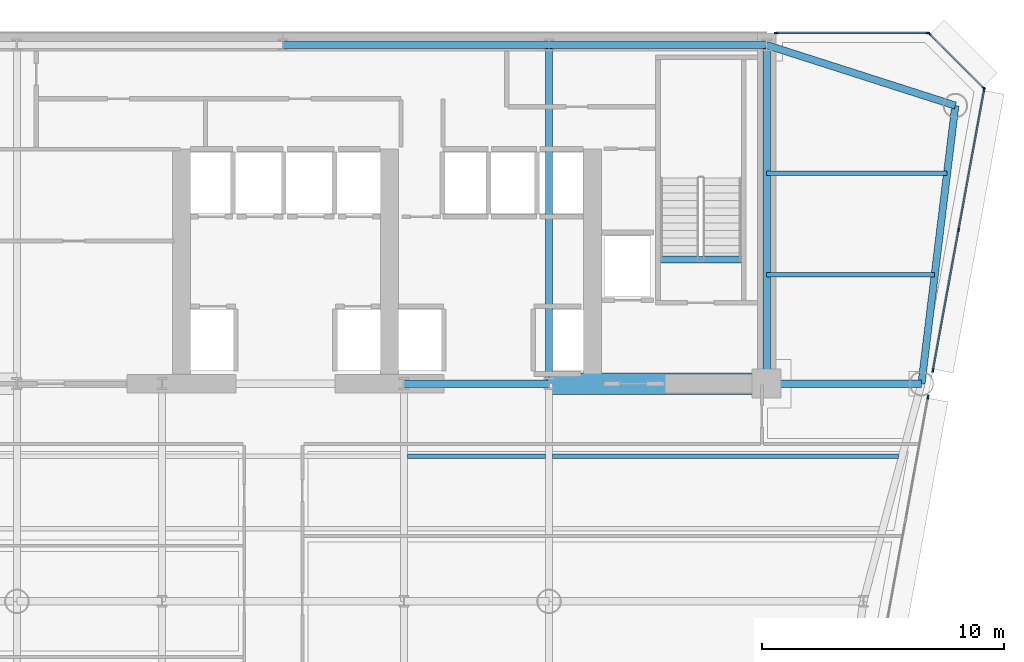
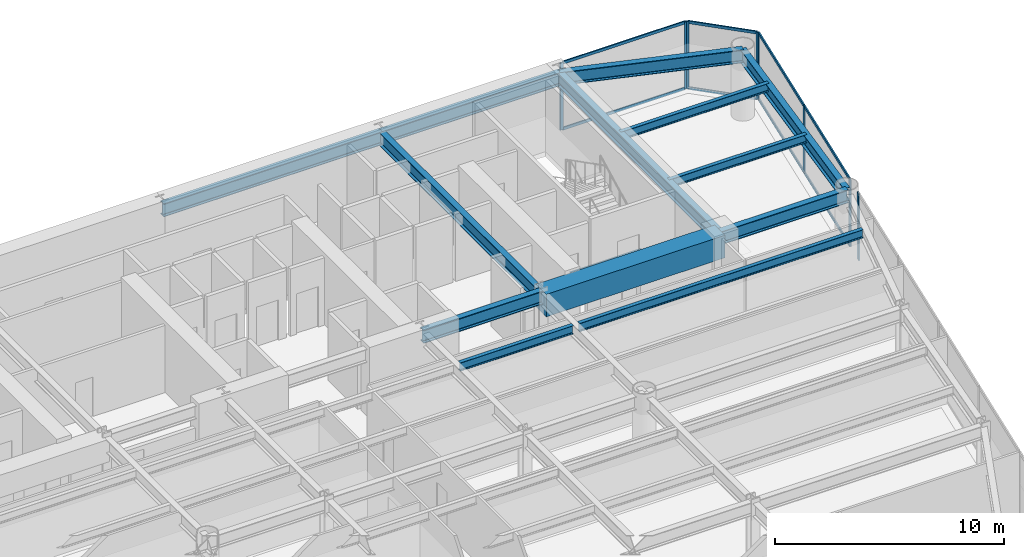
# One storey, part 9 of 17: 16 members, 14 beams, 4 elements without a shape of their own.
"""IFC4 building model written with IfcOpenShell, lengths in metres."""

from ifc_helpers import new_model, si_unit, direction, frame, origin, origin_2d, place, context, subcontext, project, spatial, rectangle, i_section, extrude, source, transform, mapped, material, layer, layer_set, material_profile, profile_set, type_object, element, aggregate, save


model = new_model("IFC4")

# Units and contexts
model_context = context("Model", 3, precision=1e-05, world=origin(), true_north=direction((0.0, 1.0)))
body_context = subcontext(model_context, "Body", "Model", "MODEL_VIEW")
ifc_project = project(units=[si_unit("LENGTHUNIT", "METRE"), si_unit("AREAUNIT", "SQUARE_METRE"), si_unit("VOLUMEUNIT", "CUBIC_METRE"), si_unit("PLANEANGLEUNIT", "RADIAN"), si_unit("MASSUNIT", "GRAM", prefix="KILO")], contexts=[model_context])

# Site, building, storey
site_placement = place(None, origin())
site = spatial("IfcSite", under=ifc_project, at=site_placement, CompositionType="ELEMENT")
building_placement = place(site_placement, origin())
building = spatial("IfcBuilding", under=site, at=building_placement, Name="Vaeldorn Concourse Tower", CompositionType="ELEMENT")
storey_placement = place(building_placement, frame((0.0, 0.0, 153.800048828125)))
storey = spatial("IfcBuildingStorey", under=building, at=storey_placement, Name="L39", CompositionType="ELEMENT", Elevation=153.800048828125)

# Beams
ifc_material_1 = material(Name="Concrete C60/75", Category="concrete")
ifc_material_profile_1 = material_profile(ifc_material_1, rectangle(XDim=0.89990234375, YDim=1.199951171875, at=origin_2d()), Name="RC 900x1200")
ifc_profile_set_1 = profile_set([ifc_material_profile_1], Name="Concrete C60/75")
beam_type_1 = type_object("IfcBeamType", Name="BM-CB-RC900", PredefinedType="BEAM", material=ifc_profile_set_1)
shared_shape_1 = source(origin(), body_context, "Body", "SweptSolid", [
    extrude(rectangle(XDim=0.89990234375, YDim=1.199951171875, at=origin_2d()), origin(), (0.0, 0.0, 1.0), 9.0),
])
beam_1_placement = place(storey_placement, frame((45.0, 36.5, 2.97998046875), z_axis=(1.0, 0.0, 0.0), x_axis=(0.0, 1.0, 0.0)))
element("IfcBeam", 1, at=beam_1_placement, inside=storey, type_object=beam_type_1, Name="Core Coupling Beam L39-2", PredefinedType="BEAM", context=body_context, shape_type="MappedRepresentation", body=[
    mapped(shared_shape_1, transform((0.0, 0.0, 0.0), scale=1.0)),
])
ifc_material_2 = material(Name="Steel S355", Category="steel")
ifc_material_profile_2 = material_profile(ifc_material_2, i_section(OverallWidth=0.300048828125, OverallDepth=0.340087890625, WebThickness=0.011962890625, FlangeThickness=0.021484375, FilletRadius=0.027099609375, at=origin_2d()), Name="HEB 340")
ifc_profile_set_2 = profile_set([ifc_material_profile_2], Name="Steel S355")
beam_type_2 = type_object("IfcBeamType", Name="BM-ST-TRIM", PredefinedType="BEAM", material=ifc_profile_set_2)
shared_shape_2 = source(origin(), body_context, "Body", "SweptSolid", [
    extrude(i_section(OverallWidth=0.300048828125, OverallDepth=0.340087890625, WebThickness=0.011962890625, FlangeThickness=0.021484375, FilletRadius=0.027099609375, at=origin_2d()), origin(), (0.0, 0.0, 1.0), 3.590087890625),
])
beam_2_placement = place(storey_placement, frame((49.47998046875, 41.639892578125, -0.429931640625), z_axis=(1.0, 0.0, 0.0), x_axis=(0.0, 1.0, 0.0)))
element("IfcBeam", 2, at=beam_2_placement, inside=storey, type_object=beam_type_2, Name="Stair Landing Trimmer Beam ST-2 L39", PredefinedType="BEAM", context=body_context, shape_type="MappedRepresentation", body=[
    mapped(shared_shape_2, transform((0.0, 0.0, 0.0), scale=1.0)),
])
ifc_material_profile_3 = material_profile(ifc_material_2, i_section(OverallWidth=0.300048828125, OverallDepth=0.699951171875, WebThickness=0.01708984375, FlangeThickness=0.031982421875, FilletRadius=0.027099609375, at=origin_2d()), Name="HEB 700")
ifc_profile_set_3 = profile_set([ifc_material_profile_3], Name="Steel S355")
beam_type_3 = type_object("IfcBeamType", Name="BM-PG-HEB700", PredefinedType="BEAM", material=ifc_profile_set_3)
shared_shape_3 = source(origin(), body_context, "Body", "SweptSolid", [
    extrude(i_section(OverallWidth=0.300048828125, OverallDepth=0.699951171875, WebThickness=0.01708984375, FlangeThickness=0.031982421875, FilletRadius=0.027099609375, at=origin_2d()), origin(), (0.0, 0.0, 1.0), 6.0),
])
beam_3_placement = place(storey_placement, frame((39.0, 36.5, 3.22998046875), z_axis=(1.0, 0.0, 0.0), x_axis=(0.0, 1.0, 0.0)))
element("IfcBeam", 3, at=beam_3_placement, inside=storey, type_object=beam_type_3, Name="Beam BM-L39-C-FC4-C-FC5", PredefinedType="BEAM", context=body_context, shape_type="MappedRepresentation", body=[
    mapped(shared_shape_3, transform((0.0, 0.0, 0.0), scale=1.0)),
])
shared_shape_4 = source(origin(), body_context, "Body", "SweptSolid", [
    extrude(i_section(OverallWidth=0.300048828125, OverallDepth=0.699951171875, WebThickness=0.01708984375, FlangeThickness=0.031982421875, FilletRadius=0.027099609375, at=origin_2d()), origin(), (0.0, 0.0, 1.0), 9.0),
])
beam_4_placement = place(storey_placement, frame((45.0, 50.5, 3.22998046875), z_axis=(1.0, 0.0, 0.0), x_axis=(0.0, 1.0, 0.0)))
element("IfcBeam", 4, at=beam_4_placement, inside=storey, type_object=beam_type_3, Name="Beam BM-L39-C-HC4-C-HC5", PredefinedType="BEAM", context=body_context, shape_type="MappedRepresentation", body=[
    mapped(shared_shape_4, transform((0.0, 0.0, 0.0), scale=1.0)),
])
shared_shape_5 = source(origin(), body_context, "Body", "SweptSolid", [
    extrude(i_section(OverallWidth=0.300048828125, OverallDepth=0.699951171875, WebThickness=0.01708984375, FlangeThickness=0.031982421875, FilletRadius=0.027099609375, at=origin_2d()), origin(), (0.0, 0.0, 1.0), 11.0),
])
beam_5_placement = place(storey_placement, frame((34.0, 50.5, 3.22998046875), z_axis=(1.0, 0.0, 0.0), x_axis=(0.0, 1.0, 0.0)))
element("IfcBeam", 5, at=beam_5_placement, inside=storey, type_object=beam_type_3, Name="Beam BM-L39-C-HC3-C-HC4", PredefinedType="BEAM", context=body_context, shape_type="MappedRepresentation", body=[
    mapped(shared_shape_5, transform((0.0, 0.0, 0.0), scale=1.0)),
])
shared_shape_6 = source(origin(), body_context, "Body", "SweptSolid", [
    extrude(i_section(OverallWidth=0.300048828125, OverallDepth=0.699951171875, WebThickness=0.01708984375, FlangeThickness=0.031982421875, FilletRadius=0.027099609375, at=origin_2d()), origin(), (0.0, 0.0, 1.0), 14.0),
])
for number, where, z_axis, x_axis, name in (
    (6, (45.0, 36.5, 3.22998046875), (0.0, 1.0, 0.0), (-1.0, 0.0, 0.0), "Beam BM-L39-C-FC5-C-HC4"),
    (7, (54.0, 36.5, 3.22998046875), (0.0, 1.0, 0.0), (-1.0, 0.0, 0.0), "Beam BM-L39-C-FC6-C-HC5"),
):
    element("IfcBeam", number, at=place(storey_placement, frame(where, z_axis=z_axis, x_axis=x_axis)), inside=storey, type_object=beam_type_3, Name=name, PredefinedType="BEAM", context=body_context, shape_type="MappedRepresentation", body=[
        mapped(shared_shape_6, transform((0.0, 0.0, 0.0), scale=1.0)),
    ])
shared_shape_7 = source(origin(), body_context, "Body", "SweptSolid", [
    extrude(i_section(OverallWidth=0.300048828125, OverallDepth=0.699951171875, WebThickness=0.01708984375, FlangeThickness=0.031982421875, FilletRadius=0.027099609375, at=origin_2d()), origin(), (0.0, 0.0, 1.0), 8.19091796875),
])
beam_6_placement = place(storey_placement, frame((54.0, 50.5, 3.22998046875), z_axis=(0.952282843383, -0.305216949396, 0.0), x_axis=(0.305216949396, 0.952282843383, 0.0)))
element("IfcBeam", 8, at=beam_6_placement, inside=storey, type_object=beam_type_3, Name="Beam BM-L39-C-HC5-C-NE1", PredefinedType="BEAM", context=body_context, shape_type="MappedRepresentation", body=[
    mapped(shared_shape_7, transform((0.0, 0.0, 0.0), scale=1.0)),
])
shared_shape_8 = source(origin(), body_context, "Body", "SweptSolid", [
    extrude(i_section(OverallWidth=0.300048828125, OverallDepth=0.699951171875, WebThickness=0.01708984375, FlangeThickness=0.031982421875, FilletRadius=0.027099609375, at=origin_2d()), origin(), (0.0, 0.0, 1.0), 11.5849609375),
])
beam_7_placement = place(storey_placement, frame((61.800048828125, 48.0, 3.22998046875), z_axis=(-0.120859382899, -0.992669637677, 0.0), x_axis=(0.992669637677, -0.120859382899, 0.0)))
element("IfcBeam", 9, at=beam_7_placement, inside=storey, type_object=beam_type_3, Name="Beam BM-L39-C-NE1-C-NE2", PredefinedType="BEAM", context=body_context, shape_type="MappedRepresentation", body=[
    mapped(shared_shape_8, transform((0.0, 0.0, 0.0), scale=1.0)),
])
shared_shape_9 = source(origin(), body_context, "Body", "SweptSolid", [
    extrude(i_section(OverallWidth=0.300048828125, OverallDepth=0.699951171875, WebThickness=0.01708984375, FlangeThickness=0.031982421875, FilletRadius=0.027099609375, at=origin_2d()), origin(), (0.0, 0.0, 1.0), 6.39990234375),
])
beam_8_placement = place(storey_placement, frame((54.0, 36.5, 3.22998046875), z_axis=(1.0, 0.0, 0.0), x_axis=(0.0, 1.0, 0.0)))
element("IfcBeam", 10, at=beam_8_placement, inside=storey, type_object=beam_type_3, Name="Beam BM-L39-C-FC6-C-NE2", PredefinedType="BEAM", context=body_context, shape_type="MappedRepresentation", body=[
    mapped(shared_shape_9, transform((0.0, 0.0, 0.0), scale=1.0)),
])
ifc_material_profile_4 = material_profile(ifc_material_2, i_section(OverallWidth=0.18994140625, OverallDepth=0.449951171875, WebThickness=0.009521484375, FlangeThickness=0.0146484375, FilletRadius=0.02099609375, at=origin_2d()), Name="IPE 450")
ifc_profile_set_4 = profile_set([ifc_material_profile_4], Name="Steel S355")
beam_type_4 = type_object("IfcBeamType", Name="BM-JS-IPE450", PredefinedType="JOIST", material=ifc_profile_set_4)
shared_shape_10 = source(origin(), body_context, "Body", "SweptSolid", [
    extrude(i_section(OverallWidth=0.18994140625, OverallDepth=0.449951171875, WebThickness=0.009521484375, FlangeThickness=0.0146484375, FilletRadius=0.02099609375, at=origin_2d()), origin(), (0.0, 0.0, 1.0), 5.7001953125),
])
beam_9_placement = place(storey_placement, frame((39.14990234375, 33.5, 3.35498046875), z_axis=(1.0, 0.0, 0.0), x_axis=(0.0, 1.0, 0.0)))
element("IfcBeam", 11, at=beam_9_placement, inside=storey, type_object=beam_type_4, Name="Beam JS-L39-E2-335", PredefinedType="JOIST", context=body_context, shape_type="MappedRepresentation", body=[
    mapped(shared_shape_10, transform((0.0, 0.0, 0.0), scale=1.0)),
])
shared_shape_11 = source(origin(), body_context, "Body", "SweptSolid", [
    extrude(i_section(OverallWidth=0.18994140625, OverallDepth=0.449951171875, WebThickness=0.009521484375, FlangeThickness=0.0146484375, FilletRadius=0.02099609375, at=origin_2d()), origin(), (0.0, 0.0, 1.0), 6.94775390625),
])
beam_10_placement = place(storey_placement, frame((54.0, 41.0, 3.35498046875), z_axis=(1.0, 0.0, 0.0), x_axis=(0.0, 1.0, 0.0)))
element("IfcBeam", 12, at=beam_10_placement, inside=storey, type_object=beam_type_4, Name="Beam JS-L39-NE-410", PredefinedType="JOIST", context=body_context, shape_type="MappedRepresentation", body=[
    mapped(shared_shape_11, transform((0.0, 0.0, 0.0), scale=1.0)),
])
shared_shape_12 = source(origin(), body_context, "Body", "SweptSolid", [
    extrude(i_section(OverallWidth=0.18994140625, OverallDepth=0.449951171875, WebThickness=0.009521484375, FlangeThickness=0.0146484375, FilletRadius=0.02099609375, at=origin_2d()), origin(), (0.0, 0.0, 1.0), 7.458984375),
])
beam_11_placement = place(storey_placement, frame((54.0, 45.199951171875, 3.35498046875), z_axis=(1.0, 0.0, 0.0), x_axis=(0.0, 1.0, 0.0)))
element("IfcBeam", 13, at=beam_11_placement, inside=storey, type_object=beam_type_4, Name="Beam JS-L39-NE-452", PredefinedType="JOIST", context=body_context, shape_type="MappedRepresentation", body=[
    mapped(shared_shape_12, transform((0.0, 0.0, 0.0), scale=1.0)),
])
shared_shape_13 = source(origin(), body_context, "Body", "SweptSolid", [
    extrude(i_section(OverallWidth=0.18994140625, OverallDepth=0.449951171875, WebThickness=0.009521484375, FlangeThickness=0.0146484375, FilletRadius=0.02099609375, at=origin_2d()), origin(), (0.0, 0.0, 1.0), 14.300048828125),
])
beam_12_placement = place(storey_placement, frame((45.14990234375, 33.5, 3.35498046875), z_axis=(1.0, 0.0, 0.0), x_axis=(0.0, 1.0, 0.0)))
element("IfcBeam", 14, at=beam_12_placement, inside=storey, type_object=beam_type_4, Name="Beam JS-L39-E1-335", PredefinedType="JOIST", context=body_context, shape_type="MappedRepresentation", body=[
    mapped(shared_shape_13, transform((0.0, 0.0, 0.0), scale=1.0)),
])

# Curtain wall, member
ifc_material_3 = material(Name="Anodised Bronze Aluminium", Category="aluminium")
ifc_layer_1 = layer(ifc_material_3, 0.2099609375)
ifc_layer_set_1 = layer_set([ifc_layer_1], Name="Anodised Bronze Aluminium")
curtain_wall_type_1 = type_object("IfcCurtainWallType", Name="CW-SYS-06", PredefinedType="NOTDEFINED", material=ifc_layer_set_1)
curtain_wall_1_placement = place(storey_placement, origin())
curtain_wall_1 = element("IfcCurtainWall", 15, at=curtain_wall_1_placement, inside=storey, type_object=curtain_wall_type_1, Name="Unitised Curtain Wall CW-L39-E07-1", PredefinedType="NOTDEFINED")
ifc_material_profile_5 = material_profile(ifc_material_3, rectangle(XDim=0.06494140625, YDim=0.169921875, at=origin_2d()), Name="CWM 65x170")
ifc_profile_set_5 = profile_set([ifc_material_profile_5], Name="Anodised Bronze Aluminium")
member_type_1 = type_object("IfcMemberType", Name="CWM-BRONZE-170", PredefinedType="MULLION", material=ifc_profile_set_5)
shared_shape_14 = source(origin(), body_context, "Body", "SweptSolid", [
    extrude(rectangle(XDim=0.06494140625, YDim=0.169921875, at=origin_2d()), origin(), (0.0, 0.0, 1.0), 3.579833984375),
])
member_1_placement = place(storey_placement, frame((60.67431640625, 35.949951171875, 0.0), z_axis=(0.0, 0.0, 1.0), x_axis=(-0.983767760981, 0.179446349793, 0.0)))
member_1 = element("IfcMember", 16, at=member_1_placement, type_object=member_type_1, Name="CW-06 mullion 7", PredefinedType="MULLION", context=body_context, shape_type="MappedRepresentation", body=[
    mapped(shared_shape_14, transform((0.0, 0.0, 0.0), scale=1.0)),
])
aggregate(curtain_wall_1, [member_1])

# Curtain wall, members
curtain_wall_2_placement = place(storey_placement, origin())
curtain_wall_2 = element("IfcCurtainWall", 17, at=curtain_wall_2_placement, inside=storey, type_object=curtain_wall_type_1, Name="Unitised Curtain Wall CW-L39-E07-2", PredefinedType="NOTDEFINED")
member_2_placement = place(storey_placement, frame((60.875, 37.050048828125, 0.0), z_axis=(0.0, 0.0, 1.0), x_axis=(-0.983767481966, 0.179447879415, 0.0)))
member_2 = element("IfcMember", 18, at=member_2_placement, type_object=member_type_1, Name="CW-06 mullion 1", PredefinedType="MULLION", context=body_context, shape_type="MappedRepresentation", body=[
    mapped(shared_shape_14, transform((0.0, 0.0, 0.0), scale=1.0)),
])
member_3_placement = place(storey_placement, frame((61.9345703125, 42.85888671875, 0.0), z_axis=(0.0, 0.0, 1.0), x_axis=(-0.983767481966, 0.179447879415, 0.0)))
member_3 = element("IfcMember", 19, at=member_3_placement, type_object=member_type_1, Name="CW-06 mullion 2", PredefinedType="MULLION", context=body_context, shape_type="MappedRepresentation", body=[
    mapped(shared_shape_14, transform((0.0, 0.0, 0.0), scale=1.0)),
])
member_4_placement = place(storey_placement, frame((62.994140625, 48.66796875, 0.0), z_axis=(0.0, 0.0, 1.0), x_axis=(-0.983767481966, 0.179447879415, 0.0)))
member_4 = element("IfcMember", 20, at=member_4_placement, type_object=member_type_1, Name="CW-06 mullion 3", PredefinedType="MULLION", context=body_context, shape_type="MappedRepresentation", body=[
    mapped(shared_shape_14, transform((0.0, 0.0, 0.0), scale=1.0)),
])

ifc_layer_2 = layer(ifc_material_3, 0.18994140625)
ifc_layer_set_2 = layer_set([ifc_layer_2], Name="Anodised Bronze Aluminium")
curtain_wall_type_2 = type_object("IfcCurtainWallType", Name="CW-SYS-03", PredefinedType="NOTDEFINED", material=ifc_layer_set_2)
curtain_wall_3_placement = place(storey_placement, origin())
curtain_wall_3 = element("IfcCurtainWall", 21, at=curtain_wall_3_placement, inside=storey, type_object=curtain_wall_type_2, Name="Unitised Curtain Wall CW-L39-E08-1", PredefinedType="NOTDEFINED")
member_5_placement = place(storey_placement, frame((62.97705078125, 48.722900390625, 0.0), z_axis=(0.0, 0.0, 1.0), x_axis=(-0.707106781187, -0.707106781187, 0.0)))
member_5 = element("IfcMember", 22, at=member_5_placement, type_object=member_type_1, Name="CW-03 mullion 1", PredefinedType="MULLION", context=body_context, shape_type="MappedRepresentation", body=[
    mapped(shared_shape_14, transform((0.0, 0.0, 0.0), scale=1.0)),
])
member_6_placement = place(storey_placement, frame((60.722900390625, 50.97705078125, 0.0), z_axis=(0.0, 0.0, 1.0), x_axis=(-0.707106781187, -0.707106781187, 0.0)))
member_6 = element("IfcMember", 23, at=member_6_placement, type_object=member_type_1, Name="CW-03 mullion 2", PredefinedType="MULLION", context=body_context, shape_type="MappedRepresentation", body=[
    mapped(shared_shape_14, transform((0.0, 0.0, 0.0), scale=1.0)),
])

curtain_wall_4_placement = place(storey_placement, origin())
curtain_wall_4 = element("IfcCurtainWall", 24, at=curtain_wall_4_placement, inside=storey, type_object=curtain_wall_type_2, Name="Unitised Curtain Wall CW-L39-E09-1", PredefinedType="NOTDEFINED")
member_7_placement = place(storey_placement, frame((60.66748046875, 51.0, 0.0), z_axis=(0.0, 0.0, 1.0), x_axis=(0.0, -1.0, 0.0)))
member_7 = element("IfcMember", 25, at=member_7_placement, type_object=member_type_1, Name="CW-03 mullion 1", PredefinedType="MULLION", context=body_context, shape_type="MappedRepresentation", body=[
    mapped(shared_shape_14, transform((0.0, 0.0, 0.0), scale=1.0)),
])
member_8_placement = place(storey_placement, frame((54.402587890625, 51.0, 0.0), z_axis=(0.0, 0.0, 1.0), x_axis=(0.0, -1.0, 0.0)))
member_8 = element("IfcMember", 26, at=member_8_placement, type_object=member_type_1, Name="CW-03 mullion 2", PredefinedType="MULLION", context=body_context, shape_type="MappedRepresentation", body=[
    mapped(shared_shape_14, transform((0.0, 0.0, 0.0), scale=1.0)),
])

# Member
ifc_material_profile_6 = material_profile(ifc_material_3, rectangle(XDim=0.06494140625, YDim=0.14990234375, at=origin_2d()), Name="CWT 65x150")
ifc_profile_set_6 = profile_set([ifc_material_profile_6], Name="Anodised Bronze Aluminium")
member_type_2 = type_object("IfcMemberType", Name="CWT-BRONZE-150", PredefinedType="USERDEFINED", material=ifc_profile_set_6)
shared_shape_15 = source(origin(), body_context, "Body", "SweptSolid", [
    extrude(rectangle(XDim=0.06494140625, YDim=0.14990234375, at=origin_2d()), origin(), (0.0, 0.0, 1.0), 5.83984375),
])
member_9_placement = place(storey_placement, frame((60.880859375, 37.08203125, 0.032470703125), z_axis=(0.179429887708, 0.983770763642, 0.0), x_axis=(-0.983770763642, 0.179429887708, 0.0)))
member_9 = element("IfcMember", 27, at=member_9_placement, type_object=member_type_2, Name="CW-06 transom 1.1", ObjectType="TRANSOM", PredefinedType="USERDEFINED", context=body_context, shape_type="MappedRepresentation", body=[
    mapped(shared_shape_15, transform((0.0, 0.0, 0.0), scale=1.0)),
])

member_10_placement = place(storey_placement, frame((60.880859375, 37.08203125, 3.54736328125), z_axis=(0.179429887708, 0.983770763642, 0.0), x_axis=(-0.983770763642, 0.179429887708, 0.0)))
member_10 = element("IfcMember", 28, at=member_10_placement, type_object=member_type_2, Name="CW-06 transom 1.2", ObjectType="TRANSOM", PredefinedType="USERDEFINED", context=body_context, shape_type="MappedRepresentation", body=[
    mapped(shared_shape_15, transform((0.0, 0.0, 0.0), scale=1.0)),
])

member_11_placement = place(storey_placement, frame((61.9404296875, 42.890869140625, 0.032470703125), z_axis=(0.179429887708, 0.983770763642, 0.0), x_axis=(-0.983770763642, 0.179429887708, 0.0)))
member_11 = element("IfcMember", 29, at=member_11_placement, type_object=member_type_2, Name="CW-06 transom 2.1", ObjectType="TRANSOM", PredefinedType="USERDEFINED", context=body_context, shape_type="MappedRepresentation", body=[
    mapped(shared_shape_15, transform((0.0, 0.0, 0.0), scale=1.0)),
])

member_12_placement = place(storey_placement, frame((61.9404296875, 42.890869140625, 3.54736328125), z_axis=(0.179429887708, 0.983770763642, 0.0), x_axis=(-0.983770763642, 0.179429887708, 0.0)))
member_12 = element("IfcMember", 30, at=member_12_placement, type_object=member_type_2, Name="CW-06 transom 2.2", ObjectType="TRANSOM", PredefinedType="USERDEFINED", context=body_context, shape_type="MappedRepresentation", body=[
    mapped(shared_shape_15, transform((0.0, 0.0, 0.0), scale=1.0)),
])

aggregate(curtain_wall_2, [member_2, member_3, member_4, member_9, member_10, member_11, member_12])

shared_shape_16 = source(origin(), body_context, "Body", "SweptSolid", [
    extrude(rectangle(XDim=0.06494140625, YDim=0.14990234375, at=origin_2d()), origin(), (0.0, 0.0, 1.0), 3.123046875),
])
member_13_placement = place(storey_placement, frame((62.9541015625, 48.745849609375, 0.032470703125), z_axis=(-0.707106781187, 0.707106781187, 0.0), x_axis=(-0.707106781187, -0.707106781187, 0.0)))
member_13 = element("IfcMember", 31, at=member_13_placement, type_object=member_type_2, Name="CW-03 transom 1.1", ObjectType="TRANSOM", PredefinedType="USERDEFINED", context=body_context, shape_type="MappedRepresentation", body=[
    mapped(shared_shape_16, transform((0.0, 0.0, 0.0), scale=1.0)),
])

member_14_placement = place(storey_placement, frame((62.9541015625, 48.745849609375, 3.54736328125), z_axis=(-0.707106781187, 0.707106781187, 0.0), x_axis=(-0.707106781187, -0.707106781187, 0.0)))
member_14 = element("IfcMember", 32, at=member_14_placement, type_object=member_type_2, Name="CW-03 transom 1.2", ObjectType="TRANSOM", PredefinedType="USERDEFINED", context=body_context, shape_type="MappedRepresentation", body=[
    mapped(shared_shape_16, transform((0.0, 0.0, 0.0), scale=1.0)),
])

aggregate(curtain_wall_3, [member_5, member_6, member_13, member_14])

shared_shape_17 = source(origin(), body_context, "Body", "SweptSolid", [
    extrude(rectangle(XDim=0.06494140625, YDim=0.14990234375, at=origin_2d()), origin(), (0.0, 0.0, 1.0), 6.199951171875),
])
member_15_placement = place(storey_placement, frame((60.635009765625, 51.0, 0.032470703125), z_axis=(-1.0, 0.0, 0.0), x_axis=(0.0, -1.0, 0.0)))
member_15 = element("IfcMember", 33, at=member_15_placement, type_object=member_type_2, Name="CW-03 transom 1.1", ObjectType="TRANSOM", PredefinedType="USERDEFINED", context=body_context, shape_type="MappedRepresentation", body=[
    mapped(shared_shape_17, transform((0.0, 0.0, 0.0), scale=1.0)),
])

member_16_placement = place(storey_placement, frame((60.635009765625, 51.0, 3.54736328125), z_axis=(-1.0, 0.0, 0.0), x_axis=(0.0, -1.0, 0.0)))
member_16 = element("IfcMember", 34, at=member_16_placement, type_object=member_type_2, Name="CW-03 transom 1.2", ObjectType="TRANSOM", PredefinedType="USERDEFINED", context=body_context, shape_type="MappedRepresentation", body=[
    mapped(shared_shape_17, transform((0.0, 0.0, 0.0), scale=1.0)),
])

aggregate(curtain_wall_4, [member_7, member_8, member_15, member_16])

save(model, "model.ifc")
